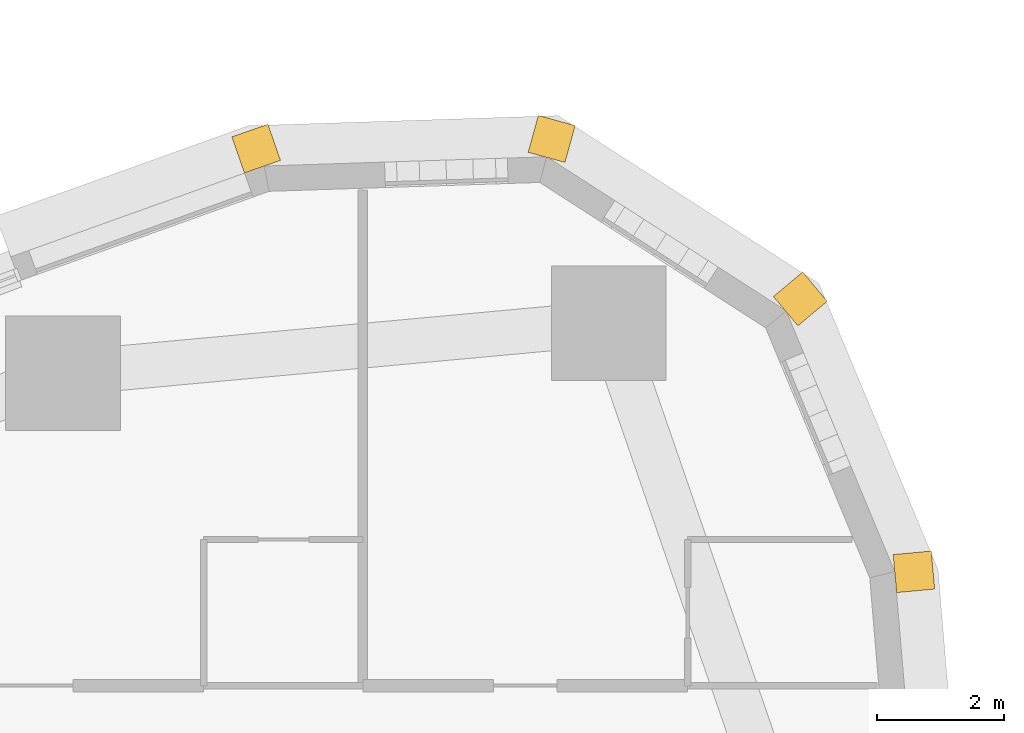
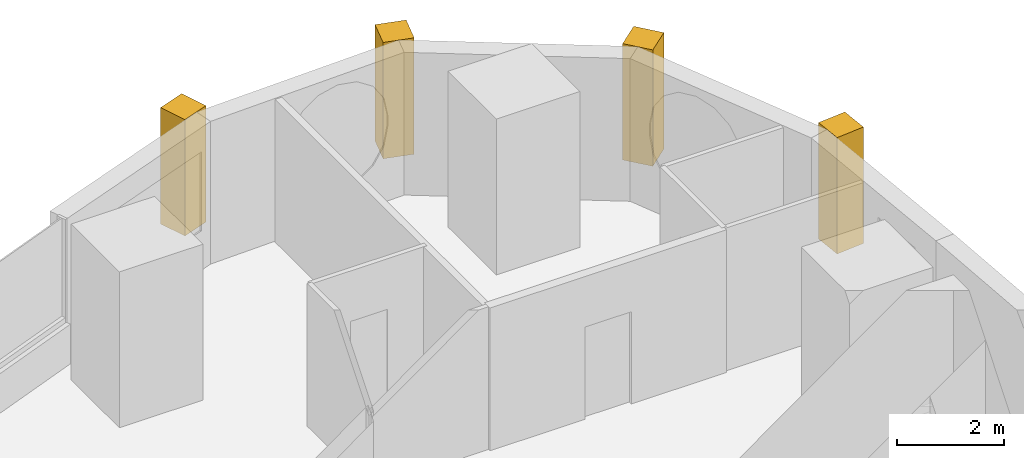
# One storey, part 18 of 18: 4 coverings.
"""IFC4 building model written with IfcOpenShell, lengths in metres."""

from ifc_helpers import new_model, si_unit, direction, frame, frame_2d, origin, place, context, subcontext, project, spatial, rectangle, extrude, material, layer, layer_set, type_object, element, save


model = new_model("IFC4")

# Units and contexts
model_context = context("Model", 3, precision=1e-05, world=origin(), true_north=direction((0.0, 1.0)))
body_context = subcontext(model_context, "Body", "Model", "MODEL_VIEW")
ifc_project = project(units=[si_unit("LENGTHUNIT", "METRE"), si_unit("AREAUNIT", "SQUARE_METRE"), si_unit("VOLUMEUNIT", "CUBIC_METRE"), si_unit("PLANEANGLEUNIT", "RADIAN"), si_unit("MASSUNIT", "GRAM", prefix="KILO")], contexts=[model_context])

# Site, building, storey
site_placement = place(None, origin())
site = spatial("IfcSite", under=ifc_project, at=site_placement, CompositionType="ELEMENT")
building_placement = place(site_placement, origin())
building = spatial("IfcBuilding", under=site, at=building_placement, Name="Ostrand Prow Hotel Tower", CompositionType="ELEMENT")
storey_placement = place(building_placement, frame((0.0, 0.0, 57.35009765625)))
storey = spatial("IfcBuildingStorey", under=building, at=storey_placement, Name="L12", CompositionType="ELEMENT", Elevation=57.35009765625)

# Coverings
ifc_material = material(Name="Limestone cladding", Category="masonry")
ifc_layer = layer(ifc_material, 0.60009765625)
ifc_layer_set = layer_set([ifc_layer], Name="Limestone cladding")
covering_type = type_object("IfcCoveringType", Name="Precast stone prow rib 600x600", PredefinedType="CLADDING", material=ifc_layer_set)
for number, where, z_axis, x_axis, name in (
    (1, (65.4580078125, 22.564453125, 0.599853515625), (0.0, 0.0, 1.0), (0.995724747837, 0.09237005221, 0.0), "Stone corner rib 16a"),
    (2, (63.74169921875, 26.6865234375, 0.599853515625), (0.0, 0.0, 1.0), (0.766985844654, 0.641664019639, 0.0), "Stone corner rib 17a"),
    (3, (59.98681640625, 29.1025390625, 0.599853515625), (0.0, 0.0, 1.0), (0.266111535611, 0.963942244439, 0.0), "Stone corner rib 18a"),
    (4, (55.524169921875, 28.956298828125, 0.599853515625), (0.0, 0.0, 1.0), (-0.328773122904, 0.94440893349, 0.0), "Stone corner rib 18b"),
):
    element("IfcCovering", number, at=place(storey_placement, frame(where, z_axis=z_axis, x_axis=x_axis)), inside=storey, type_object=covering_type, Name=name, PredefinedType="CLADDING", context=body_context, shape_type="SweptSolid", body=[
        extrude(rectangle(XDim=0.60009765625, YDim=0.60009765625, at=frame_2d((0.300048828125, 0.0))), origin(), (0.0, 0.0, 1.0), 2.650146484375),
    ])

save(model, "model.ifc")
